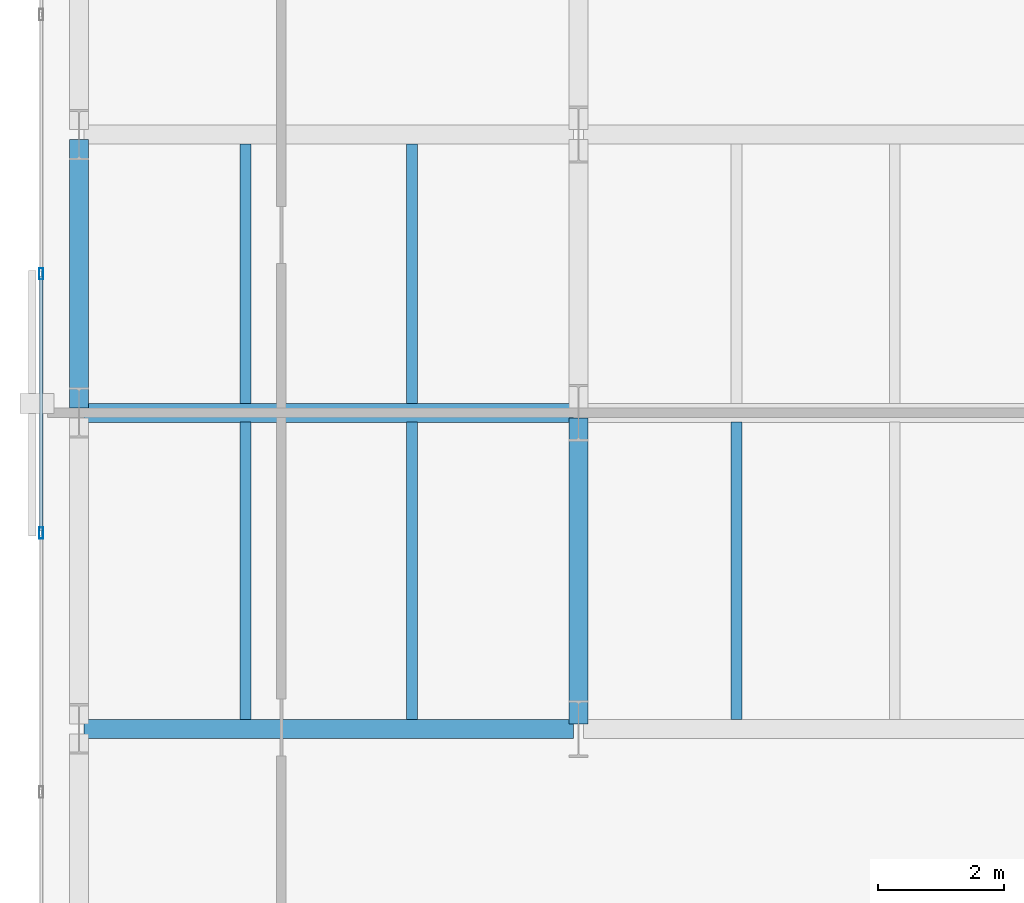
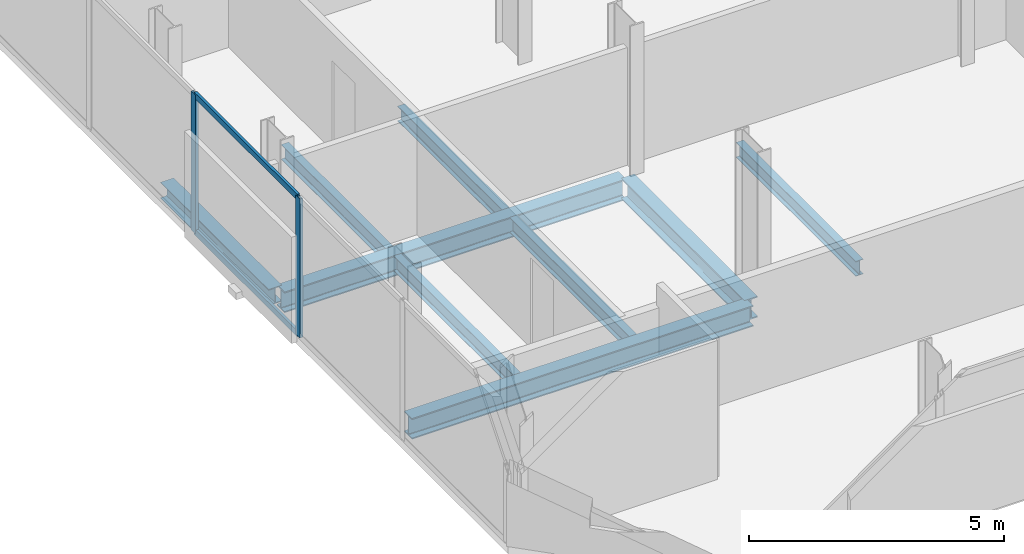
# One storey, part 5 of 33: 9 beams, 4 members, 1 element without a shape of its own.
"""IFC4 building model written with IfcOpenShell, lengths in metres."""

from ifc_helpers import new_model, si_unit, direction, frame, origin, origin_2d, place, context, subcontext, project, spatial, hollow_rectangle, i_section, extrude, material, layer, layer_set, material_profile, profile_set, type_object, element, aggregate, save


model = new_model("IFC4")

# Units and contexts
model_context = context("Model", 3, precision=1e-05, world=origin(), true_north=direction((0.0, 1.0)))
body_context = subcontext(model_context, "Body", "Model", "MODEL_VIEW")
ifc_project = project(units=[si_unit("LENGTHUNIT", "METRE"), si_unit("AREAUNIT", "SQUARE_METRE"), si_unit("VOLUMEUNIT", "CUBIC_METRE"), si_unit("PLANEANGLEUNIT", "RADIAN"), si_unit("MASSUNIT", "GRAM", prefix="KILO")], contexts=[model_context])

# Site, building, storey
site_placement = place(None, origin())
site = spatial("IfcSite", under=ifc_project, at=site_placement, CompositionType="ELEMENT")
building_placement = place(site_placement, origin())
building = spatial("IfcBuilding", under=site, at=building_placement, Name="Catumbela Crestline Tower", CompositionType="ELEMENT")
storey_placement = place(building_placement, frame((0.0, 0.0, 51.0)))
storey = spatial("IfcBuildingStorey", under=building, at=storey_placement, Name="L12", CompositionType="ELEMENT", Elevation=51.0)

# Beams
ifc_material_1 = material(Name="Structural steel S355J2", Category="steel")
ifc_material_profile_1 = material_profile(ifc_material_1, i_section(OverallWidth=0.3, OverallDepth=0.5, WebThickness=0.0145, FlangeThickness=0.028, FilletRadius=0.027, at=origin_2d()), Name="HEB 500")
ifc_profile_set_1 = profile_set([ifc_material_profile_1], Name="Structural steel S355J2")
beam_type_1 = type_object("IfcBeamType", Name="BG-HEB500", PredefinedType="BEAM", material=ifc_profile_set_1)
for number, where, z_axis, x_axis, name in (
    (1, (0.68, 8.6, -0.51), (1.0, 0.0, 0.0), (0.0, 1.0, 0.0), "L12 Beam BM-L12-WEW48"),
    (2, (0.68, 13.6, -0.51), (1.0, 0.0, 0.0), (0.0, 1.0, 0.0), "L12 Beam BM-L12-WEW51"),
):
    element("IfcBeam", number, at=place(storey_placement, frame(where, z_axis=z_axis, x_axis=x_axis)), inside=storey, type_object=beam_type_1, Name=name, PredefinedType="BEAM", context=body_context, shape_type="SweptSolid", body=[
        extrude(i_section(OverallWidth=0.3, OverallDepth=0.5, WebThickness=0.0145, FlangeThickness=0.028, FilletRadius=0.027, at=origin_2d()), origin(), (0.0, 0.0, 1.0), 7.74),
    ])
beam_1_placement = place(storey_placement, frame((8.5, 8.68, -0.51), z_axis=(0.0, 1.0, 0.0), x_axis=(-1.0, 0.0, 0.0)))
element("IfcBeam", 3, at=beam_1_placement, inside=storey, type_object=beam_type_1, Name="L12 Beam BM-L12-WNS61", PredefinedType="BEAM", context=body_context, shape_type="SweptSolid", body=[
    extrude(i_section(OverallWidth=0.3, OverallDepth=0.5, WebThickness=0.0145, FlangeThickness=0.028, FilletRadius=0.027, at=origin_2d()), origin(), (0.0, 0.0, 1.0), 4.84),
])
ifc_material_profile_2 = material_profile(ifc_material_1, i_section(OverallWidth=0.17, OverallDepth=0.36, WebThickness=0.008, FlangeThickness=0.0127, FilletRadius=0.018, at=origin_2d()), Name="IPE 360")
ifc_profile_set_2 = profile_set([ifc_material_profile_2], Name="Structural steel S355J2")
beam_type_2 = type_object("IfcBeamType", Name="BJ-IPE360", PredefinedType="JOIST", material=ifc_profile_set_2)
for number, where, z_axis, x_axis, name in (
    (4, (3.233, 8.747, -0.44), (0.0, 1.0, 0.0), (-1.0, 0.0, 0.0), "L12 Joist JS-L12-WG70"),
    (5, (5.867, 8.747, -0.44), (0.0, 1.0, 0.0), (-1.0, 0.0, 0.0), "L12 Joist JS-L12-WG71"),
    (6, (11.0, 8.747, -0.44), (0.0, 1.0, 0.0), (-1.0, 0.0, 0.0), "L12 Joist JS-L12-WG72"),
):
    element("IfcBeam", number, at=place(storey_placement, frame(where, z_axis=z_axis, x_axis=x_axis)), inside=storey, type_object=beam_type_2, Name=name, PredefinedType="JOIST", context=body_context, shape_type="SweptSolid", body=[
        extrude(i_section(OverallWidth=0.17, OverallDepth=0.36, WebThickness=0.008, FlangeThickness=0.0127, FilletRadius=0.018, at=origin_2d()), origin(), (0.0, 0.0, 1.0), 4.706),
    ])
for number, where, z_axis, x_axis, name in (
    (7, (3.233, 13.747, -0.44), (0.0, 1.0, 0.0), (-1.0, 0.0, 0.0), "L12 Joist JS-L12-WG76"),
    (8, (5.867, 13.747, -0.44), (0.0, 1.0, 0.0), (-1.0, 0.0, 0.0), "L12 Joist JS-L12-WG77"),
):
    element("IfcBeam", number, at=place(storey_placement, frame(where, z_axis=z_axis, x_axis=x_axis)), inside=storey, type_object=beam_type_2, Name=name, PredefinedType="JOIST", context=body_context, shape_type="SweptSolid", body=[
        extrude(i_section(OverallWidth=0.17, OverallDepth=0.36, WebThickness=0.008, FlangeThickness=0.0127, FilletRadius=0.018, at=origin_2d()), origin(), (0.0, 0.0, 1.0), 4.106),
    ])

# Curtain wall, members
ifc_material_2 = material(Name="Aluminium alloy AW-6060-T66", Category="aluminium")
ifc_layer = layer(ifc_material_2, 0.18, Name="Aluminium alloy AW-6060-T66")
ifc_layer_set = layer_set([ifc_layer], Name="Aluminium alloy AW-6060-T66")
curtain_wall_type = type_object("IfcCurtainWallType", Name="CWU-Z1", PredefinedType="USERDEFINED", material=ifc_layer_set)
curtain_wall_placement = place(storey_placement, origin())
curtain_wall = element("IfcCurtainWall", 9, at=curtain_wall_placement, inside=storey, type_object=curtain_wall_type, Name="L12 Unitised Curtain Wall CW-L12-E9S1", ObjectType="UNITISED", PredefinedType="USERDEFINED")
ifc_material_profile_3 = material_profile(ifc_material_2, hollow_rectangle(XDim=0.065, YDim=0.18, WallThickness=0.004, at=origin_2d()), Name="ALU 180x65x4")
ifc_profile_set_3 = profile_set([ifc_material_profile_3], Name="Aluminium alloy AW-6060-T66")
member_type_1 = type_object("IfcMemberType", Name="MUL-180X65", PredefinedType="MULLION", material=ifc_profile_set_3)
member_1_placement = place(storey_placement, frame((0.0, 15.8, 0.0), z_axis=(0.0, 0.0, 1.0), x_axis=(1.0, 0.0, 0.0)))
member_1 = element("IfcMember", 10, at=member_1_placement, type_object=member_type_1, Name="CWU-Z1 mullion 8", PredefinedType="MULLION", context=body_context, shape_type="SweptSolid", body=[
    extrude(hollow_rectangle(XDim=0.065, YDim=0.18, WallThickness=0.004, at=origin_2d()), origin(), (0.0, 0.0, 1.0), 3.33),
])
member_2_placement = place(storey_placement, frame((0.0, 11.7, 0.0), z_axis=(0.0, 0.0, 1.0), x_axis=(1.0, 0.0, 0.0)))
member_2 = element("IfcMember", 11, at=member_2_placement, type_object=member_type_1, Name="CWU-Z1 mullion 9", PredefinedType="MULLION", context=body_context, shape_type="SweptSolid", body=[
    extrude(hollow_rectangle(XDim=0.065, YDim=0.18, WallThickness=0.004, at=origin_2d()), origin(), (0.0, 0.0, 1.0), 3.33),
])

# Beam
ifc_material_profile_4 = material_profile(ifc_material_1, i_section(OverallWidth=0.3, OverallDepth=0.39, WebThickness=0.011, FlangeThickness=0.019, FilletRadius=0.027, at=origin_2d()), Name="HEA 400")
ifc_profile_set_4 = profile_set([ifc_material_profile_4], Name="Structural steel S355J2")
beam_type_3 = type_object("IfcBeamType", Name="BS-HEA400", PredefinedType="SPANDREL", material=ifc_profile_set_4)
beam_2_placement = place(storey_placement, frame((0.6, 13.68, -0.455), z_axis=(0.0, 1.0, 0.0), x_axis=(-1.0, 0.0, 0.0)))
element("IfcBeam", 12, at=beam_2_placement, inside=storey, type_object=beam_type_3, Name="L12 Spandrel SP-L12-WNS59", PredefinedType="SPANDREL", context=body_context, shape_type="SweptSolid", body=[
    extrude(i_section(OverallWidth=0.3, OverallDepth=0.39, WebThickness=0.011, FlangeThickness=0.019, FilletRadius=0.027, at=origin_2d()), origin(), (0.0, 0.0, 1.0), 4.24),
])

# Member
ifc_material_profile_5 = material_profile(ifc_material_2, hollow_rectangle(XDim=0.06, YDim=0.14, WallThickness=0.004, at=origin_2d()), Name="ALU 140x60x4")
ifc_profile_set_5 = profile_set([ifc_material_profile_5], Name="Aluminium alloy AW-6060-T66")
member_type_2 = type_object("IfcMemberType", Name="TRN-140X60", PredefinedType="USERDEFINED", material=ifc_profile_set_5)
member_3_placement = place(storey_placement, frame((0.0, 15.7675, 0.03), z_axis=(0.0, -1.0, 0.0), x_axis=(1.0, 0.0, 0.0)))
member_3 = element("IfcMember", 13, at=member_3_placement, type_object=member_type_2, Name="CWU-Z1 transom 8.1", ObjectType="TRANSOM", PredefinedType="USERDEFINED", context=body_context, shape_type="SweptSolid", body=[
    extrude(hollow_rectangle(XDim=0.06, YDim=0.14, WallThickness=0.004, at=origin_2d()), origin(), (0.0, 0.0, 1.0), 4.035),
])

member_4_placement = place(storey_placement, frame((0.0, 15.7675, 3.3), z_axis=(0.0, -1.0, 0.0), x_axis=(1.0, 0.0, 0.0)))
member_4 = element("IfcMember", 14, at=member_4_placement, type_object=member_type_2, Name="CWU-Z1 transom 8.2", ObjectType="TRANSOM", PredefinedType="USERDEFINED", context=body_context, shape_type="SweptSolid", body=[
    extrude(hollow_rectangle(XDim=0.06, YDim=0.14, WallThickness=0.004, at=origin_2d()), origin(), (0.0, 0.0, 1.0), 4.035),
])

aggregate(curtain_wall, [member_1, member_2, member_3, member_4])

save(model, "model.ifc")
